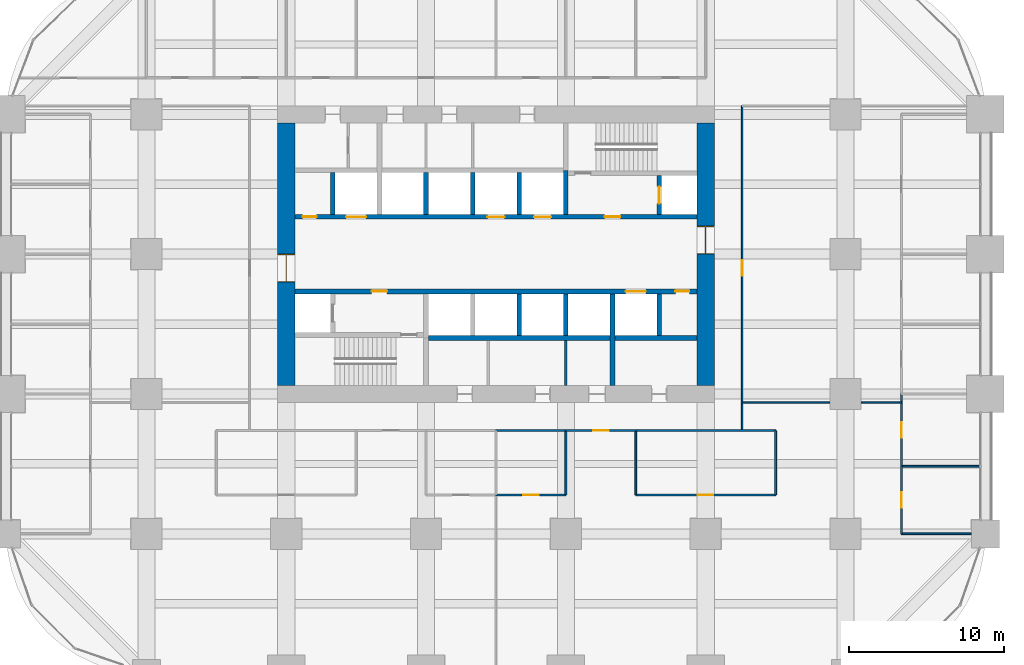
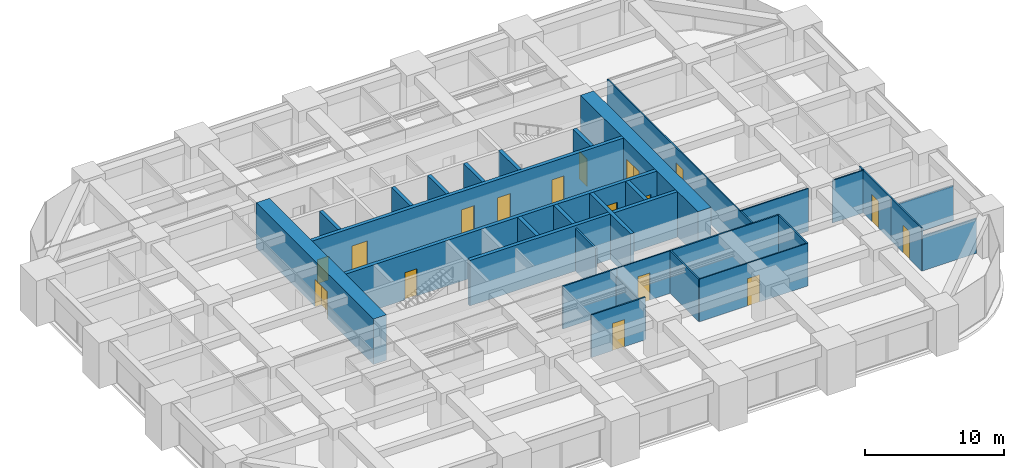
# One storey, part 37 of 41: 31 walls, 17 doors, 17 openings.
"""IFC4 building model written with IfcOpenShell, lengths in metres."""

import ifcopenshell
import ifcopenshell.guid

model = None  # the IFC model being written
_history = None  # IfcOwnerHistory: only IFC2X3 demands one
_inside = {}  # id of a spatial element -> (the spatial element, [elements in it])
_under = {}  # id of a project, library or spatial element -> (it, [spatial elements below it])
_declared = {}  # id of a project -> (the project, [libraries it declares])
_typed = {}  # id of a type object -> (the type object, [elements of that type])
_made_of = {}  # id of a material, layer set ... -> (it, [elements and type objects made of it])


def new_model(schema):
    """Start an empty IFC model of exactly this schema.

    Asked for "IFC4X3", IfcOpenShell would pick the latest addendum, in which some entities
    have other attributes; the version numbers below select the first issue.
    IFC2X3 requires an IfcOwnerHistory on every rooted entity: one is made here for all.
    """
    global model, _history
    if schema == "IFC4X3":
        model = ifcopenshell.file(schema_version=(4, 3, 0, 0))
    else:
        model = ifcopenshell.file(schema=schema)
    _inside.clear()
    _under.clear()
    _declared.clear()
    _typed.clear()
    _made_of.clear()
    _history = None
    if model.schema == "IFC2X3":
        org = make("IfcOrganization", Name="unknown")
        user = make(
            "IfcPersonAndOrganization",
            ThePerson=make("IfcPerson", FamilyName="unknown"),
            TheOrganization=org,
        )
        app = make(
            "IfcApplication",
            ApplicationDeveloper=org,
            Version="unknown",
            ApplicationFullName="unknown",
            ApplicationIdentifier="unknown",
        )
        _history = make(
            "IfcOwnerHistory",
            OwningUser=user,
            OwningApplication=app,
            ChangeAction="ADDED",
            CreationDate=0,
        )
    return model


def make(cls, **values):
    """One entity of the class cls with the attributes given. An attribute that is None is left unset."""
    return model.create_entity(
        cls, **{name: value for name, value in values.items() if value is not None}
    )


def rooted(cls, **values):
    """An entity with a GlobalId (a new one), such as an element, a storey or a relation."""
    return make(cls, GlobalId=ifcopenshell.guid.new(), OwnerHistory=_history, **values)


def si_unit(unit_type, name, prefix=None):
    """IfcSIUnit, for example si_unit("LENGTHUNIT", "METRE", prefix="MILLI")."""
    return make("IfcSIUnit", UnitType=unit_type, Prefix=prefix, Name=name)


def assignment(units):
    """IfcUnitAssignment: the units of a project."""
    return None if units is None else make("IfcUnitAssignment", Units=units)


def point(xyz):
    """IfcCartesianPoint."""
    return None if xyz is None else make("IfcCartesianPoint", Coordinates=xyz)


def direction(xyz):
    """IfcDirection."""
    return None if xyz is None else make("IfcDirection", DirectionRatios=xyz)


def frame(location, z_axis=None, x_axis=None):
    """IfcAxis2Placement3D, a coordinate frame: its origin and axes. An axis left out is left unset."""
    return make(
        "IfcAxis2Placement3D",
        Location=point(location),
        Axis=direction(z_axis),
        RefDirection=direction(x_axis),
    )


def frame_2d(location, x_axis=None):
    """IfcAxis2Placement2D, a coordinate frame in the plane: its origin and x axis."""
    return make(
        "IfcAxis2Placement2D", Location=point(location), RefDirection=direction(x_axis)
    )


def origin():
    """The frame at (0, 0, 0) with its axes left unset."""
    return frame((0.0, 0.0, 0.0))


def place(relative_to, where):
    """IfcLocalPlacement: puts the frame where relative to a parent placement (None: the world)."""
    return make(
        "IfcLocalPlacement", PlacementRelTo=relative_to, RelativePlacement=where
    )


def context(
    kind, dimensions, precision=None, world=None, true_north=None, identifier=None
):
    """IfcGeometricRepresentationContext, for example the 3D "Model" context."""
    return make(
        "IfcGeometricRepresentationContext",
        ContextIdentifier=identifier,
        ContextType=kind,
        CoordinateSpaceDimension=dimensions,
        Precision=precision,
        WorldCoordinateSystem=world,
        TrueNorth=true_north,
    )


def subcontext(parent, identifier, kind, view, scale=None):
    """IfcGeometricRepresentationSubContext, for example "Body" below "Model"."""
    return make(
        "IfcGeometricRepresentationSubContext",
        ContextIdentifier=identifier,
        ContextType=kind,
        ParentContext=parent,
        TargetScale=scale,
        TargetView=view,
    )


def project(units=None, contexts=None):
    """IfcProject with its units and contexts."""
    return rooted(
        "IfcProject",
        Name="project",
        RepresentationContexts=contexts,
        UnitsInContext=assignment(units),
    )


def spatial(cls, under=None, at=None, **own):
    """A site, building, storey or space (cls), placed at a placement, below another one or the project."""
    s = rooted(cls, ObjectPlacement=at, **own)
    if under is not None:
        _under.setdefault(under.id(), (under, []))[1].append(s)
    return s


def profile(cls, at=None, kind="AREA", **sizes):
    """A parametric profile (cls). Its sizes go by their IFC names, for example OverallWidth=200.0."""
    return make(cls, ProfileType=kind, Position=at, **sizes)


def rectangle(**sizes):
    """IfcRectangleProfileDef."""
    return profile("IfcRectangleProfileDef", **sizes)


def extrude(swept, where, along, depth):
    """IfcExtrudedAreaSolid: the profile swept, set in the frame where, extruded along a direction by depth."""
    return make(
        "IfcExtrudedAreaSolid",
        SweptArea=swept,
        Position=where,
        ExtrudedDirection=direction(along),
        Depth=depth,
    )


def shape(context_of_items, identifier, shape_type, items):
    """IfcShapeRepresentation: the items that make up one representation, for example the "Body"."""
    return make(
        "IfcShapeRepresentation",
        ContextOfItems=context_of_items,
        RepresentationIdentifier=identifier,
        RepresentationType=shape_type,
        Items=items,
    )


def material(Name=None, Category=None):
    """IfcMaterial."""
    return make("IfcMaterial", Name=Name, Category=Category)


def layer(
    of_material, thickness, ventilated=None, Name=None, Category=None, Priority=None
):
    """IfcMaterialLayer: one layer of a wall or slab, of a material (None: an air gap)."""
    return make(
        "IfcMaterialLayer",
        Material=of_material,
        LayerThickness=thickness,
        IsVentilated=ventilated,
        Name=Name,
        Category=Category,
        Priority=Priority,
    )


def layer_set(layers, Name=None):
    """IfcMaterialLayerSet."""
    return make("IfcMaterialLayerSet", MaterialLayers=layers, LayerSetName=Name)


def made_of(thing, what):
    """Note that an element or type object is made of a material, layer set ...; save() writes the relation."""
    if what is not None:
        _made_of.setdefault(what.id(), (what, []))[1].append(thing)
    return thing


def type_object(cls, material=None, **own):
    """A type object (cls), such as IfcWallType, which elements share."""
    return made_of(rooted(cls, **own), material)


def element(
    cls,
    number,
    at=None,
    inside=None,
    cuts=None,
    type_object=None,
    material=None,
    context=None,
    identifier="Body",
    shape_type=None,
    held_by="IfcProductDefinitionShape",
    body=None,
    shapes=None,
    **own,
):
    """One element of the class cls, such as IfcWall. Its Tag is "e" and its number.

    at: its placement. inside: the storey or other place that contains it. cuts: it is an
    opening in that element (IfcRelVoidsElement). A single representation is given by context,
    identifier, shape_type and body (its items); several are given by shapes. held_by: the class
    of the entity that holds the representations. save() writes the other relations.
    """
    e = rooted(cls, Tag="e%d" % number, ObjectPlacement=at, **own)
    if body is not None:
        shapes = [shape(context, identifier, shape_type, body)]
    if shapes is not None:
        e.Representation = make(held_by, Representations=shapes)
    if inside is not None:
        _inside.setdefault(inside.id(), (inside, []))[1].append(e)
    if cuts is not None:
        rooted(
            "IfcRelVoidsElement", RelatingBuildingElement=cuts, RelatedOpeningElement=e
        )
    if type_object is not None:
        _typed.setdefault(type_object.id(), (type_object, []))[1].append(e)
    return made_of(e, material)


def fill(opening, filler):
    """IfcRelFillsElement: the door or window that sits in an opening."""
    return rooted(
        "IfcRelFillsElement",
        RelatingOpeningElement=opening,
        RelatedBuildingElement=filler,
    )


def aggregate(whole, parts):
    """IfcRelAggregates: a whole, such as a stair, and the parts it consists of."""
    return rooted("IfcRelAggregates", RelatingObject=whole, RelatedObjects=parts)


def save(model, path):
    """Write the relations noted so far, then the file.

    IfcRelAggregates (storeys below a building ...), IfcRelContainedInSpatialStructure (elements
    in a storey), IfcRelDefinesByType, IfcRelAssociatesMaterial and IfcRelDeclares: one each for
    every whole, place, type object, material and project.
    """
    for whole, parts in _under.values():
        aggregate(whole, parts)
    for where, things in _inside.values():
        rooted(
            "IfcRelContainedInSpatialStructure",
            RelatedElements=things,
            RelatingStructure=where,
        )
    for kind, things in _typed.values():
        rooted("IfcRelDefinesByType", RelatedObjects=things, RelatingType=kind)
    for what, things in _made_of.values():
        rooted("IfcRelAssociatesMaterial", RelatedObjects=things, RelatingMaterial=what)
    for by, libraries in _declared.values():
        rooted("IfcRelDeclares", RelatingContext=by, RelatedDefinitions=libraries)
    model.write(path)


model = new_model("IFC4")

# Units and contexts
model_context = context("Model", 3, precision=1e-05, world=origin(), true_north=direction((0.0, 1.0)))
body_context = subcontext(model_context, "Body", "Model", "MODEL_VIEW")
ifc_project = project(units=[si_unit("LENGTHUNIT", "METRE"), si_unit("AREAUNIT", "SQUARE_METRE"), si_unit("VOLUMEUNIT", "CUBIC_METRE"), si_unit("PLANEANGLEUNIT", "RADIAN"), si_unit("MASSUNIT", "GRAM", prefix="KILO")], contexts=[model_context])

# Site, building, storey
site_placement = place(None, origin())
site = spatial("IfcSite", under=ifc_project, at=site_placement, CompositionType="ELEMENT")
building_placement = place(site_placement, origin())
building = spatial("IfcBuilding", under=site, at=building_placement, Name="Zorevar Civic Tower", CompositionType="ELEMENT")
storey_placement = place(building_placement, frame((0.0, 0.0, 113.0)))
storey = spatial("IfcBuildingStorey", under=building, at=storey_placement, Name="L27", CompositionType="ELEMENT", Elevation=113.0)

# Wall, opening, door
ifc_material_1 = material(Name="Concrete C50/60", Category="concrete")
ifc_layer_1 = layer(ifc_material_1, 1.10009765625)
ifc_layer_set_1 = layer_set([ifc_layer_1], Name="Core wall 1100")
wall_type_1 = type_object("IfcWallType", Name="Core wall 1100", PredefinedType="SHEAR", material=ifc_layer_set_1)
wall_1_placement = place(storey_placement, frame((18.0, 35.449951171875, 0.0), z_axis=(0.0, 0.0, 1.0), x_axis=(0.0, -1.0, 0.0)))
wall_1 = element("IfcWall", 1, at=wall_1_placement, inside=storey, type_object=wall_type_1, Name="Core wall W L27", PredefinedType="SHEAR", context=body_context, shape_type="SweptSolid", body=[
    extrude(rectangle(XDim=16.89990234375, YDim=1.10009765625, at=frame_2d((8.449951171875, 0.0))), origin(), (0.0, 0.0, 1.0), 4.0),
])
opening_1_placement = place(wall_1_placement, frame((8.449951171875, 0.0, 0.0)))
opening_1 = element("IfcOpeningElement", 2, at=opening_1_placement, cuts=wall_1, Name="Opening L27.01", PredefinedType="OPENING", context=body_context, shape_type="SweptSolid", body=[
    extrude(rectangle(XDim=1.800048828125, YDim=2.39990234375, at=frame_2d((0.89990234375, 1.199951171875))), frame((0.0, 0.56005859375, 0.0), z_axis=(0.0, -1.0, 0.0), x_axis=(1.0, 0.0, 0.0)), (0.0, 0.0, 1.0), 1.1201171875),
])
ifc_material_2 = material(Name="Steel door set", Category="steel")
door_type_1 = type_object("IfcDoorType", Name="Fire door FD2 1800x2400", OperationType="DOUBLE_DOOR_DOUBLE_SWING", PredefinedType="DOOR", material=ifc_material_2)
door_1_placement = place(opening_1_placement, origin())
door_1 = element("IfcDoor", 3, at=door_1_placement, inside=storey, type_object=door_type_1, Name="Door L27 00", OperationType="DOUBLE_DOOR_DOUBLE_SWING", OverallHeight=2.39990234375, OverallWidth=1.800048828125, PredefinedType="DOOR", context=body_context, shape_type="SweptSolid", body=[
    extrude(rectangle(XDim=1.800048828125, YDim=2.39990234375, at=frame_2d((0.89990234375, 1.199951171875))), frame((0.0, 0.030029296875, 0.0), z_axis=(0.0, -1.0, 0.0), x_axis=(1.0, 0.0, 0.0)), (0.0, 0.0, 1.0), 0.06005859375),
    extrude(rectangle(XDim=0.04, YDim=2.39990234375, at=frame_2d((0.02001953125, 1.199951171875))), frame((0.0, 0.5498046875, 0.0), z_axis=(0.0, -1.0, 0.0), x_axis=(1.0, 0.0, 0.0)), (0.0, 0.0, 1.0), 1.099609375),
    extrude(rectangle(XDim=0.04, YDim=2.39990234375, at=frame_2d((1.780029296875, 1.199951171875))), frame((0.0, 0.5498046875, 0.0), z_axis=(0.0, -1.0, 0.0), x_axis=(1.0, 0.0, 0.0)), (0.0, 0.0, 1.0), 1.099609375),
    extrude(rectangle(XDim=1.800048828125, YDim=0.04, at=frame_2d((0.89990234375, 2.3798828125))), frame((0.0, 0.5498046875, 0.0), z_axis=(0.0, -1.0, 0.0), x_axis=(1.0, 0.0, 0.0)), (0.0, 0.0, 1.0), 1.099609375),
])
fill(opening_1, door_1)

wall_2_placement = place(storey_placement, frame((45.0, 18.550048828125, 0.0), z_axis=(0.0, 0.0, 1.0), x_axis=(0.0, 1.0, 0.0)))
wall_2 = element("IfcWall", 4, at=wall_2_placement, inside=storey, type_object=wall_type_1, Name="Core wall E L27", PredefinedType="SHEAR", context=body_context, shape_type="SweptSolid", body=[
    extrude(rectangle(XDim=16.89990234375, YDim=1.10009765625, at=frame_2d((8.449951171875, 0.0))), origin(), (0.0, 0.0, 1.0), 4.0),
])
opening_2_placement = place(wall_2_placement, frame((8.449951171875, 0.0, 0.0)))
opening_2 = element("IfcOpeningElement", 5, at=opening_2_placement, cuts=wall_2, Name="Opening L27.02", PredefinedType="OPENING", context=body_context, shape_type="SweptSolid", body=[
    extrude(rectangle(XDim=1.800048828125, YDim=2.39990234375, at=frame_2d((0.89990234375, 1.199951171875))), frame((0.0, 0.56005859375, 0.0), z_axis=(0.0, -1.0, 0.0), x_axis=(1.0, 0.0, 0.0)), (0.0, 0.0, 1.0), 1.1201171875),
])
door_2_placement = place(opening_2_placement, origin())
door_2 = element("IfcDoor", 6, at=door_2_placement, inside=storey, type_object=door_type_1, Name="Door L27 01", OperationType="DOUBLE_DOOR_DOUBLE_SWING", OverallHeight=2.39990234375, OverallWidth=1.800048828125, PredefinedType="DOOR", context=body_context, shape_type="SweptSolid", body=[
    extrude(rectangle(XDim=1.800048828125, YDim=2.39990234375, at=frame_2d((0.89990234375, 1.199951171875))), frame((0.0, 0.030029296875, 0.0), z_axis=(0.0, -1.0, 0.0), x_axis=(1.0, 0.0, 0.0)), (0.0, 0.0, 1.0), 0.06005859375),
    extrude(rectangle(XDim=0.04, YDim=2.39990234375, at=frame_2d((0.02001953125, 1.199951171875))), frame((0.0, 0.5498046875, 0.0), z_axis=(0.0, -1.0, 0.0), x_axis=(1.0, 0.0, 0.0)), (0.0, 0.0, 1.0), 1.099609375),
    extrude(rectangle(XDim=0.04, YDim=2.39990234375, at=frame_2d((1.780029296875, 1.199951171875))), frame((0.0, 0.5498046875, 0.0), z_axis=(0.0, -1.0, 0.0), x_axis=(1.0, 0.0, 0.0)), (0.0, 0.0, 1.0), 1.099609375),
    extrude(rectangle(XDim=1.800048828125, YDim=0.04, at=frame_2d((0.89990234375, 2.3798828125))), frame((0.0, 0.5498046875, 0.0), z_axis=(0.0, -1.0, 0.0), x_axis=(1.0, 0.0, 0.0)), (0.0, 0.0, 1.0), 1.099609375),
])
fill(opening_2, door_2)

ifc_material_3 = material(Name="Laminated glass in black aluminium frame", Category="aluminium")
ifc_layer_2 = layer(ifc_material_3, 0.10009765625)
ifc_layer_set_2 = layer_set([ifc_layer_2], Name="Glazed partition 100")
wall_type_2 = type_object("IfcWallType", Name="Glazed partition 100", PredefinedType="PARTITIONING", material=ifc_layer_set_2)
wall_3_placement = place(storey_placement, frame((40.5, 11.5, 0.0), z_axis=(0.0, 0.0, 1.0), x_axis=(1.0, 0.0, 0.0)))
wall_3 = element("IfcWall", 7, at=wall_3_placement, inside=storey, type_object=wall_type_2, Name="Glazed partition 100 L27", PredefinedType="PARTITIONING", context=body_context, shape_type="SweptSolid", body=[
    extrude(rectangle(XDim=9.0, YDim=0.10009765625, at=frame_2d((4.5, 0.0))), origin(), (0.0, 0.0, 1.0), 3.75),
])
opening_3_placement = place(wall_3_placement, frame((4.0, 0.0, 0.0)))
opening_3 = element("IfcOpeningElement", 8, at=opening_3_placement, cuts=wall_3, Name="Opening L27.20", PredefinedType="OPENING", context=body_context, shape_type="SweptSolid", body=[
    extrude(rectangle(XDim=1.0, YDim=2.39990234375, at=frame_2d((0.5, 1.199951171875))), frame((0.0, 0.06005859375, 0.0), z_axis=(0.0, -1.0, 0.0), x_axis=(1.0, 0.0, 0.0)), (0.0, 0.0, 1.0), 0.1201171875),
])
ifc_material_4 = material(Name="Timber door set", Category="wood")
door_type_2 = type_object("IfcDoorType", Name="Glazed door GD1 1000x2400", OperationType="SINGLE_SWING_LEFT", PredefinedType="DOOR", material=ifc_material_4)
door_3_placement = place(opening_3_placement, origin())
door_3 = element("IfcDoor", 9, at=door_3_placement, inside=storey, type_object=door_type_2, Name="Door L27 D1", OperationType="SINGLE_SWING_RIGHT", OverallHeight=2.39990234375, OverallWidth=1.0, PredefinedType="DOOR", context=body_context, shape_type="SweptSolid", body=[
    extrude(rectangle(XDim=1.0, YDim=2.39990234375, at=frame_2d((0.5, 1.199951171875))), frame((0.0, 0.02001953125, 0.0), z_axis=(0.0, -1.0, 0.0), x_axis=(1.0, 0.0, 0.0)), (0.0, 0.0, 1.0), 0.0400390625),
])
fill(opening_3, door_3)

wall_4_placement = place(storey_placement, frame((36.0, 15.64990234375, 0.0), z_axis=(0.0, 0.0, 1.0), x_axis=(1.0, 0.0, 0.0)))
wall_4 = element("IfcWall", 10, at=wall_4_placement, inside=storey, type_object=wall_type_2, Name="Glazed partition 100 L27", PredefinedType="PARTITIONING", context=body_context, shape_type="SweptSolid", body=[
    extrude(rectangle(XDim=4.5, YDim=0.10009765625, at=frame_2d((2.25, 0.0))), origin(), (0.0, 0.0, 1.0), 3.75),
])
opening_4_placement = place(wall_4_placement, frame((1.75, 0.0, 0.0)))
opening_4 = element("IfcOpeningElement", 11, at=opening_4_placement, cuts=wall_4, Name="Opening L27.22", PredefinedType="OPENING", context=body_context, shape_type="SweptSolid", body=[
    extrude(rectangle(XDim=1.0, YDim=2.39990234375, at=frame_2d((0.5, 1.199951171875))), frame((0.0, 0.06005859375, 0.0), z_axis=(0.0, -1.0, 0.0), x_axis=(1.0, 0.0, 0.0)), (0.0, 0.0, 1.0), 0.1201171875),
])
door_4_placement = place(opening_4_placement, origin())
door_4 = element("IfcDoor", 12, at=door_4_placement, inside=storey, type_object=door_type_2, Name="Door L27 D1", OperationType="SINGLE_SWING_RIGHT", OverallHeight=2.39990234375, OverallWidth=1.0, PredefinedType="DOOR", context=body_context, shape_type="SweptSolid", body=[
    extrude(rectangle(XDim=1.0, YDim=2.39990234375, at=frame_2d((0.5, 1.199951171875))), frame((0.0, 0.02001953125, 0.0), z_axis=(0.0, -1.0, 0.0), x_axis=(1.0, 0.0, 0.0)), (0.0, 0.0, 1.0), 0.0400390625),
])
fill(opening_4, door_4)

# Walls
wall_5_placement = place(storey_placement, frame((47.35009765625, 17.449951171875, 0.0), z_axis=(0.0, 0.0, 1.0), x_axis=(1.0, 0.0, 0.0)))
element("IfcWall", 13, at=wall_5_placement, inside=storey, type_object=wall_type_2, Name="Glazed partition 100 L27", PredefinedType="PARTITIONING", context=body_context, shape_type="SweptSolid", body=[
    extrude(rectangle(XDim=5.64990234375, YDim=0.10009765625, at=frame_2d((2.824951171875, 0.0))), origin(), (0.0, 0.0, 1.0), 3.75),
])
wall_6_placement = place(storey_placement, frame((55.0, 17.449951171875, 0.0), z_axis=(0.0, 0.0, 1.0), x_axis=(1.0, 0.0, 0.0)))
element("IfcWall", 14, at=wall_6_placement, inside=storey, type_object=wall_type_2, Name="Glazed partition 100 L27", PredefinedType="PARTITIONING", context=body_context, shape_type="SweptSolid", body=[
    extrude(rectangle(XDim=2.610107421875, YDim=0.10009765625, at=frame_2d((1.30517578125, 0.0))), origin(), (0.0, 0.0, 1.0), 3.75),
])

# Wall, opening, door
wall_7_placement = place(storey_placement, frame((47.35009765625, 15.64990234375, 0.0), z_axis=(0.0, 0.0, 1.0), x_axis=(0.0, 1.0, 0.0)))
wall_7 = element("IfcWall", 15, at=wall_7_placement, inside=storey, type_object=wall_type_2, Name="Glazed partition 100 L27", PredefinedType="PARTITIONING", context=body_context, shape_type="SweptSolid", body=[
    extrude(rectangle(XDim=20.900146484375, YDim=0.10009765625, at=frame_2d((10.4501953125, 0.0))), origin(), (0.0, 0.0, 1.0), 3.75),
])
opening_5_placement = place(wall_7_placement, frame((9.949951171875, 0.0, 0.0)))
opening_5 = element("IfcOpeningElement", 16, at=opening_5_placement, cuts=wall_7, Name="Opening L27.37", PredefinedType="OPENING", context=body_context, shape_type="SweptSolid", body=[
    extrude(rectangle(XDim=1.0, YDim=2.39990234375, at=frame_2d((0.5, 1.199951171875))), frame((0.0, 0.06005859375, 0.0), z_axis=(0.0, -1.0, 0.0), x_axis=(1.0, 0.0, 0.0)), (0.0, 0.0, 1.0), 0.1201171875),
])
door_5_placement = place(opening_5_placement, origin())
door_5 = element("IfcDoor", 17, at=door_5_placement, inside=storey, type_object=door_type_2, Name="Door L27 D1", OperationType="SINGLE_SWING_LEFT", OverallHeight=2.39990234375, OverallWidth=1.0, PredefinedType="DOOR", context=body_context, shape_type="SweptSolid", body=[
    extrude(rectangle(XDim=1.0, YDim=2.39990234375, at=frame_2d((0.5, 1.199951171875))), frame((0.0, 0.02001953125, 0.0), z_axis=(0.0, -1.0, 0.0), x_axis=(1.0, 0.0, 0.0)), (0.0, 0.0, 1.0), 0.0400390625),
])
fill(opening_5, door_5)

ifc_material_5 = material(Name="Concrete C40/50", Category="concrete")
ifc_layer_3 = layer(ifc_material_5, 0.300048828125)
ifc_layer_set_3 = layer_set([ifc_layer_3], Name="Inner core wall 300")
wall_type_3 = type_object("IfcWallType", Name="Inner core wall 300", PredefinedType="SHEAR", material=ifc_layer_set_3)
wall_8_placement = place(storey_placement, frame((42.0, 29.550048828125, 0.0), z_axis=(0.0, 0.0, 1.0), x_axis=(0.0, 1.0, 0.0)))
wall_8 = element("IfcWall", 18, at=wall_8_placement, inside=storey, type_object=wall_type_3, Name="Inner core wall N02 L27", PredefinedType="SHEAR", context=body_context, shape_type="SweptSolid", body=[
    extrude(rectangle(XDim=2.5, YDim=0.300048828125, at=frame_2d((1.25, 0.0))), origin(), (0.0, 0.0, 1.0), 4.0),
])
opening_6_placement = place(wall_8_placement, frame((0.699951171875, 0.0, 0.0)))
opening_6 = element("IfcOpeningElement", 19, at=opening_6_placement, cuts=wall_8, Name="Opening L27.FL2", PredefinedType="OPENING", context=body_context, shape_type="SweptSolid", body=[
    extrude(rectangle(XDim=1.10009765625, YDim=2.39990234375, at=frame_2d((0.550048828125, 1.199951171875))), frame((0.0, 0.159912109375, 0.0), z_axis=(0.0, -1.0, 0.0), x_axis=(1.0, 0.0, 0.0)), (0.0, 0.0, 1.0), 0.320068359375),
])
ifc_material_6 = material(Name="Steel door set", Category="steel")
door_type_3 = type_object("IfcDoorType", Name="Firefighting lift landing door LD3 1100x2400", OperationType="DOUBLE_DOOR_SLIDING", PredefinedType="DOOR", material=ifc_material_6)
door_6_placement = place(opening_6_placement, origin())
door_6 = element("IfcDoor", 20, at=door_6_placement, inside=storey, type_object=door_type_3, Name="Landing door FL2 L27", OperationType="DOUBLE_DOOR_SLIDING", OverallHeight=2.39990234375, OverallWidth=1.10009765625, PredefinedType="DOOR", context=body_context, shape_type="SweptSolid", body=[
    extrude(rectangle(XDim=1.10009765625, YDim=2.39990234375, at=frame_2d((0.550048828125, 1.199951171875))), frame((0.0, 0.030029296875, 0.0), z_axis=(0.0, -1.0, 0.0), x_axis=(1.0, 0.0, 0.0)), (0.0, 0.0, 1.0), 0.06005859375),
])
fill(opening_6, door_6)

# Wall, openings, doors
wall_9_placement = place(storey_placement, frame((18.550048828125, 24.60009765625, 0.0), z_axis=(0.0, 0.0, 1.0), x_axis=(1.0, 0.0, 0.0)))
wall_9 = element("IfcWall", 21, at=wall_9_placement, inside=storey, type_object=wall_type_3, Name="Inner core wall S03 L27", PredefinedType="SHEAR", context=body_context, shape_type="SweptSolid", body=[
    extrude(rectangle(XDim=25.89990234375, YDim=0.300048828125, at=frame_2d((12.949951171875, 0.0))), origin(), (0.0, 0.0, 1.0), 4.0),
])
opening_7_placement = place(wall_9_placement, frame((4.949951171875, 0.0, 0.0)))
opening_7 = element("IfcOpeningElement", 22, at=opening_7_placement, cuts=wall_9, Name="Opening L27.13", PredefinedType="OPENING", context=body_context, shape_type="SweptSolid", body=[
    extrude(rectangle(XDim=1.0, YDim=2.39990234375, at=frame_2d((0.5, 1.199951171875))), frame((0.0, 0.159912109375, 0.0), z_axis=(0.0, -1.0, 0.0), x_axis=(1.0, 0.0, 0.0)), (0.0, 0.0, 1.0), 0.320068359375),
])
opening_8_placement = place(wall_9_placement, frame((24.5, 0.0, 0.0)))
opening_8 = element("IfcOpeningElement", 23, at=opening_8_placement, cuts=wall_9, Name="Opening L27.15", PredefinedType="OPENING", context=body_context, shape_type="SweptSolid", body=[
    extrude(rectangle(XDim=0.89990234375, YDim=2.10009765625, at=frame_2d((0.449951171875, 1.050048828125))), frame((0.0, 0.159912109375, 0.0), z_axis=(0.0, -1.0, 0.0), x_axis=(1.0, 0.0, 0.0)), (0.0, 0.0, 1.0), 0.320068359375),
])
opening_9_placement = place(wall_9_placement, frame((21.300048828125, 0.0, 0.0)))
opening_9 = element("IfcOpeningElement", 24, at=opening_9_placement, cuts=wall_9, Name="Opening L27.SL1", PredefinedType="OPENING", context=body_context, shape_type="SweptSolid", body=[
    extrude(rectangle(XDim=1.300048828125, YDim=2.39990234375, at=frame_2d((0.64990234375, 1.199951171875))), frame((0.0, 0.159912109375, 0.0), z_axis=(0.0, -1.0, 0.0), x_axis=(1.0, 0.0, 0.0)), (0.0, 0.0, 1.0), 0.320068359375),
])
ifc_material_7 = material(Name="Steel door set", Category="steel")
door_type_4 = type_object("IfcDoorType", Name="Fire door FD1 1000x2400", OperationType="SINGLE_SWING_LEFT", PredefinedType="DOOR", material=ifc_material_7)
door_7_placement = place(opening_7_placement, origin())
door_7 = element("IfcDoor", 25, at=door_7_placement, inside=storey, type_object=door_type_4, Name="Door L27 12", OperationType="SINGLE_SWING_RIGHT", OverallHeight=2.39990234375, OverallWidth=1.0, PredefinedType="DOOR", context=body_context, shape_type="SweptSolid", body=[
    extrude(rectangle(XDim=1.0, YDim=2.39990234375, at=frame_2d((0.5, 1.199951171875))), frame((0.0, 0.030029296875, 0.0), z_axis=(0.0, -1.0, 0.0), x_axis=(1.0, 0.0, 0.0)), (0.0, 0.0, 1.0), 0.06005859375),
])
fill(opening_7, door_7)
ifc_material_8 = material(Name="Steel door set", Category="steel")
door_type_5 = type_object("IfcDoorType", Name="Landing door LD2 1300x2400", OperationType="DOUBLE_DOOR_SLIDING", PredefinedType="DOOR", material=ifc_material_8)
door_8_placement = place(opening_9_placement, origin())
door_8 = element("IfcDoor", 26, at=door_8_placement, inside=storey, type_object=door_type_5, Name="Landing door SL1 L27", OperationType="DOUBLE_DOOR_SLIDING", OverallHeight=2.39990234375, OverallWidth=1.300048828125, PredefinedType="DOOR", context=body_context, shape_type="SweptSolid", body=[
    extrude(rectangle(XDim=1.300048828125, YDim=2.39990234375, at=frame_2d((0.64990234375, 1.199951171875))), frame((0.0, 0.02001953125, 0.0), z_axis=(0.0, -1.0, 0.0), x_axis=(1.0, 0.0, 0.0)), (0.0, 0.0, 1.0), 0.0400390625),
])
fill(opening_9, door_8)
ifc_material_9 = material(Name="Steel door set", Category="steel")
door_type_6 = type_object("IfcDoorType", Name="Riser door RD1 900x2100", OperationType="SINGLE_SWING_LEFT", PredefinedType="DOOR", material=ifc_material_9)
door_9_placement = place(opening_8_placement, origin())
door_9 = element("IfcDoor", 27, at=door_9_placement, inside=storey, type_object=door_type_6, Name="Door L27 14", OperationType="SINGLE_SWING_RIGHT", OverallHeight=2.10009765625, OverallWidth=0.89990234375, PredefinedType="DOOR", context=body_context, shape_type="SweptSolid", body=[
    extrude(rectangle(XDim=0.89990234375, YDim=2.10009765625, at=frame_2d((0.449951171875, 1.050048828125))), frame((0.0, 0.030029296875, 0.0), z_axis=(0.0, -1.0, 0.0), x_axis=(1.0, 0.0, 0.0)), (0.0, 0.0, 1.0), 0.06005859375),
])
fill(opening_8, door_9)

wall_10_placement = place(storey_placement, frame((18.550048828125, 29.39990234375, 0.0), z_axis=(0.0, 0.0, 1.0), x_axis=(1.0, 0.0, 0.0)))
wall_10 = element("IfcWall", 28, at=wall_10_placement, inside=storey, type_object=wall_type_3, Name="Inner core wall N03 L27", PredefinedType="SHEAR", context=body_context, shape_type="SweptSolid", body=[
    extrude(rectangle(XDim=25.89990234375, YDim=0.300048828125, at=frame_2d((12.949951171875, 0.0))), origin(), (0.0, 0.0, 1.0), 4.0),
])
opening_10_placement = place(wall_10_placement, frame((19.949951171875, 0.0, 0.0)))
opening_10 = element("IfcOpeningElement", 29, at=opening_10_placement, cuts=wall_10, Name="Opening L27.14", PredefinedType="OPENING", context=body_context, shape_type="SweptSolid", body=[
    extrude(rectangle(XDim=1.0, YDim=2.39990234375, at=frame_2d((0.5, 1.199951171875))), frame((0.0, 0.159912109375, 0.0), z_axis=(0.0, -1.0, 0.0), x_axis=(1.0, 0.0, 0.0)), (0.0, 0.0, 1.0), 0.320068359375),
])
opening_11_placement = place(wall_10_placement, frame((0.5, 0.0, 0.0)))
opening_11 = element("IfcOpeningElement", 30, at=opening_11_placement, cuts=wall_10, Name="Opening L27.16", PredefinedType="OPENING", context=body_context, shape_type="SweptSolid", body=[
    extrude(rectangle(XDim=0.89990234375, YDim=2.10009765625, at=frame_2d((0.449951171875, 1.050048828125))), frame((0.0, 0.159912109375, 0.0), z_axis=(0.0, -1.0, 0.0), x_axis=(1.0, 0.0, 0.0)), (0.0, 0.0, 1.0), 0.320068359375),
])
opening_12_placement = place(wall_10_placement, frame((15.39990234375, 0.0, 0.0)))
opening_12 = element("IfcOpeningElement", 31, at=opening_12_placement, cuts=wall_10, Name="Opening L27.LM1", PredefinedType="OPENING", context=body_context, shape_type="SweptSolid", body=[
    extrude(rectangle(XDim=1.10009765625, YDim=2.39990234375, at=frame_2d((0.550048828125, 1.199951171875))), frame((0.0, 0.159912109375, 0.0), z_axis=(0.0, -1.0, 0.0), x_axis=(1.0, 0.0, 0.0)), (0.0, 0.0, 1.0), 0.320068359375),
])
opening_13_placement = place(wall_10_placement, frame((12.39990234375, 0.0, 0.0)))
opening_13 = element("IfcOpeningElement", 32, at=opening_13_placement, cuts=wall_10, Name="Opening L27.LM2", PredefinedType="OPENING", context=body_context, shape_type="SweptSolid", body=[
    extrude(rectangle(XDim=1.10009765625, YDim=2.39990234375, at=frame_2d((0.550048828125, 1.199951171875))), frame((0.0, 0.159912109375, 0.0), z_axis=(0.0, -1.0, 0.0), x_axis=(1.0, 0.0, 0.0)), (0.0, 0.0, 1.0), 0.320068359375),
])
opening_14_placement = place(wall_10_placement, frame((3.300048828125, 0.0, 0.0)))
opening_14 = element("IfcOpeningElement", 33, at=opening_14_placement, cuts=wall_10, Name="Opening L27.SL2", PredefinedType="OPENING", context=body_context, shape_type="SweptSolid", body=[
    extrude(rectangle(XDim=1.300048828125, YDim=2.39990234375, at=frame_2d((0.64990234375, 1.199951171875))), frame((0.0, 0.159912109375, 0.0), z_axis=(0.0, -1.0, 0.0), x_axis=(1.0, 0.0, 0.0)), (0.0, 0.0, 1.0), 0.320068359375),
])
door_10_placement = place(opening_10_placement, origin())
door_10 = element("IfcDoor", 34, at=door_10_placement, inside=storey, type_object=door_type_4, Name="Door L27 13", OperationType="SINGLE_SWING_RIGHT", OverallHeight=2.39990234375, OverallWidth=1.0, PredefinedType="DOOR", context=body_context, shape_type="SweptSolid", body=[
    extrude(rectangle(XDim=1.0, YDim=2.39990234375, at=frame_2d((0.5, 1.199951171875))), frame((0.0, 0.030029296875, 0.0), z_axis=(0.0, -1.0, 0.0), x_axis=(1.0, 0.0, 0.0)), (0.0, 0.0, 1.0), 0.06005859375),
])
fill(opening_10, door_10)
ifc_material_10 = material(Name="Steel door set", Category="steel")
door_type_7 = type_object("IfcDoorType", Name="Landing door LD1 1100x2400", OperationType="DOUBLE_DOOR_SLIDING", PredefinedType="DOOR", material=ifc_material_10)
door_11_placement = place(opening_12_placement, origin())
door_11 = element("IfcDoor", 35, at=door_11_placement, inside=storey, type_object=door_type_7, Name="Landing door LM1 L27", OperationType="DOUBLE_DOOR_SLIDING", OverallHeight=2.39990234375, OverallWidth=1.10009765625, PredefinedType="DOOR", context=body_context, shape_type="SweptSolid", body=[
    extrude(rectangle(XDim=1.10009765625, YDim=2.39990234375, at=frame_2d((0.550048828125, 1.199951171875))), frame((0.0, 0.02001953125, 0.0), z_axis=(0.0, -1.0, 0.0), x_axis=(1.0, 0.0, 0.0)), (0.0, 0.0, 1.0), 0.0400390625),
])
fill(opening_12, door_11)
door_12_placement = place(opening_13_placement, origin())
door_12 = element("IfcDoor", 36, at=door_12_placement, inside=storey, type_object=door_type_7, Name="Landing door LM2 L27", OperationType="DOUBLE_DOOR_SLIDING", OverallHeight=2.39990234375, OverallWidth=1.10009765625, PredefinedType="DOOR", context=body_context, shape_type="SweptSolid", body=[
    extrude(rectangle(XDim=1.10009765625, YDim=2.39990234375, at=frame_2d((0.550048828125, 1.199951171875))), frame((0.0, 0.02001953125, 0.0), z_axis=(0.0, -1.0, 0.0), x_axis=(1.0, 0.0, 0.0)), (0.0, 0.0, 1.0), 0.0400390625),
])
fill(opening_13, door_12)
door_13_placement = place(opening_14_placement, origin())
door_13 = element("IfcDoor", 37, at=door_13_placement, inside=storey, type_object=door_type_5, Name="Landing door SL2 L27", OperationType="DOUBLE_DOOR_SLIDING", OverallHeight=2.39990234375, OverallWidth=1.300048828125, PredefinedType="DOOR", context=body_context, shape_type="SweptSolid", body=[
    extrude(rectangle(XDim=1.300048828125, YDim=2.39990234375, at=frame_2d((0.64990234375, 1.199951171875))), frame((0.0, 0.02001953125, 0.0), z_axis=(0.0, -1.0, 0.0), x_axis=(1.0, 0.0, 0.0)), (0.0, 0.0, 1.0), 0.0400390625),
])
fill(opening_14, door_13)
door_14_placement = place(opening_11_placement, origin())
door_14 = element("IfcDoor", 38, at=door_14_placement, inside=storey, type_object=door_type_6, Name="Door L27 15", OperationType="SINGLE_SWING_RIGHT", OverallHeight=2.10009765625, OverallWidth=0.89990234375, PredefinedType="DOOR", context=body_context, shape_type="SweptSolid", body=[
    extrude(rectangle(XDim=0.89990234375, YDim=2.10009765625, at=frame_2d((0.449951171875, 1.050048828125))), frame((0.0, 0.030029296875, 0.0), z_axis=(0.0, -1.0, 0.0), x_axis=(1.0, 0.0, 0.0)), (0.0, 0.0, 1.0), 0.06005859375),
])
fill(opening_11, door_14)

# Walls
wall_11_placement = place(storey_placement, frame((27.14990234375, 21.60009765625, 0.0), z_axis=(0.0, 0.0, 1.0), x_axis=(1.0, 0.0, 0.0)))
element("IfcWall", 39, at=wall_11_placement, inside=storey, type_object=wall_type_3, Name="Inner core wall S04 L27", PredefinedType="SHEAR", context=body_context, shape_type="SweptSolid", body=[
    extrude(rectangle(XDim=17.300048828125, YDim=0.300048828125, at=frame_2d((8.64990234375, 0.0))), origin(), (0.0, 0.0, 1.0), 4.0),
])
for number, where, z_axis, x_axis, name in (
    (40, (33.0, 29.550048828125, 0.0), (0.0, 0.0, 1.0), (0.0, 1.0, 0.0), "Inner core wall N05 L27"),
    (41, (33.0, 21.75, 0.0), (0.0, 0.0, 1.0), (0.0, 1.0, 0.0), "Inner core wall S06 L27"),
    (42, (30.0, 29.550048828125, 0.0), (0.0, 0.0, 1.0), (0.0, 1.0, 0.0), "Inner core wall N06 L27"),
    (43, (36.0, 21.75, 0.0), (0.0, 0.0, 1.0), (0.0, 1.0, 0.0), "Inner core wall S07 L27"),
    (44, (27.0, 29.550048828125, 0.0), (0.0, 0.0, 1.0), (0.0, 1.0, 0.0), "Inner core wall N07 L27"),
):
    element("IfcWall", number, at=place(storey_placement, frame(where, z_axis=z_axis, x_axis=x_axis)), inside=storey, type_object=wall_type_3, Name=name, PredefinedType="SHEAR", context=body_context, shape_type="SweptSolid", body=[
        extrude(rectangle(XDim=2.699951171875, YDim=0.300048828125, at=frame_2d((1.35009765625, 0.0))), origin(), (0.0, 0.0, 1.0), 4.0),
    ])
wall_12_placement = place(storey_placement, frame((39.0, 18.550048828125, 0.0), z_axis=(0.0, 0.0, 1.0), x_axis=(0.0, 1.0, 0.0)))
element("IfcWall", 45, at=wall_12_placement, inside=storey, type_object=wall_type_3, Name="Inner core wall S08 L27", PredefinedType="SHEAR", context=body_context, shape_type="SweptSolid", body=[
    extrude(rectangle(XDim=5.89990234375, YDim=0.300048828125, at=frame_2d((2.949951171875, 0.0))), origin(), (0.0, 0.0, 1.0), 4.0),
])
for number, where, z_axis, x_axis, name in (
    (46, (42.0, 21.75, 0.0), (0.0, 0.0, 1.0), (0.0, 1.0, 0.0), "Inner core wall S09 L27"),
    (47, (21.0, 29.550048828125, 0.0), (0.0, 0.0, 1.0), (0.0, 1.0, 0.0), "Inner core wall N09 L27"),
):
    element("IfcWall", number, at=place(storey_placement, frame(where, z_axis=z_axis, x_axis=x_axis)), inside=storey, type_object=wall_type_3, Name=name, PredefinedType="SHEAR", context=body_context, shape_type="SweptSolid", body=[
        extrude(rectangle(XDim=2.699951171875, YDim=0.300048828125, at=frame_2d((1.35009765625, 0.0))), origin(), (0.0, 0.0, 1.0), 4.0),
    ])
wall_13_placement = place(storey_placement, frame((36.0, 29.550048828125, 0.0), z_axis=(0.0, 0.0, 1.0), x_axis=(0.0, 1.0, 0.0)))
element("IfcWall", 48, at=wall_13_placement, inside=storey, type_object=wall_type_3, Name="Inner core wall N10 L27", PredefinedType="SHEAR", context=body_context, shape_type="SweptSolid", body=[
    extrude(rectangle(XDim=2.849853515625, YDim=0.300048828125, at=frame_2d((1.4248046875, 0.0))), origin(), (0.0, 0.0, 1.0), 4.0),
])
ifc_material_11 = material(Name="Gypsum board on steel studs", Category="steel")
ifc_layer_4 = layer(ifc_material_11, 0.1201171875)
ifc_layer_set_4 = layer_set([ifc_layer_4], Name="Partition 120")
wall_type_4 = type_object("IfcWallType", Name="Partition 120", PredefinedType="PARTITIONING", material=ifc_layer_set_4)
wall_14_placement = place(storey_placement, frame((57.60009765625, 9.0, 0.0), z_axis=(0.0, 0.0, 1.0), x_axis=(1.0, 0.0, 0.0)))
element("IfcWall", 49, at=wall_14_placement, inside=storey, type_object=wall_type_4, Name="Partition 120 L27", PredefinedType="PARTITIONING", context=body_context, shape_type="SweptSolid", body=[
    extrude(rectangle(XDim=4.5, YDim=0.1201171875, at=frame_2d((2.25, 0.0))), origin(), (0.0, 0.0, 1.0), 3.050048828125),
])

# Wall, opening, door
wall_15_placement = place(storey_placement, frame((31.5, 11.5, 0.0), z_axis=(0.0, 0.0, 1.0), x_axis=(1.0, 0.0, 0.0)))
wall_15 = element("IfcWall", 50, at=wall_15_placement, inside=storey, type_object=wall_type_4, Name="Partition 120 L27", PredefinedType="PARTITIONING", context=body_context, shape_type="SweptSolid", body=[
    extrude(rectangle(XDim=4.5, YDim=0.1201171875, at=frame_2d((2.25, 0.0))), origin(), (0.0, 0.0, 1.0), 3.75),
])
opening_15_placement = place(wall_15_placement, frame((1.75, 0.0, 0.0)))
opening_15 = element("IfcOpeningElement", 51, at=opening_15_placement, cuts=wall_15, Name="Opening L27.18", PredefinedType="OPENING", context=body_context, shape_type="SweptSolid", body=[
    extrude(rectangle(XDim=1.0, YDim=2.39990234375, at=frame_2d((0.5, 1.199951171875))), frame((0.0, 0.070068359375, 0.0), z_axis=(0.0, -1.0, 0.0), x_axis=(1.0, 0.0, 0.0)), (0.0, 0.0, 1.0), 0.14013671875),
])
ifc_material_12 = material(Name="Timber door set", Category="wood")
door_type_8 = type_object("IfcDoorType", Name="Door D1 1000x2400", OperationType="SINGLE_SWING_LEFT", PredefinedType="DOOR", material=ifc_material_12)
door_15_placement = place(opening_15_placement, origin())
door_15 = element("IfcDoor", 52, at=door_15_placement, inside=storey, type_object=door_type_8, Name="Door L27 D1", OperationType="SINGLE_SWING_LEFT", OverallHeight=2.39990234375, OverallWidth=1.0, PredefinedType="DOOR", context=body_context, shape_type="SweptSolid", body=[
    extrude(rectangle(XDim=1.0, YDim=2.39990234375, at=frame_2d((0.5, 1.199951171875))), frame((0.0, 0.02490234375, 0.0), z_axis=(0.0, -1.0, 0.0), x_axis=(1.0, 0.0, 0.0)), (0.0, 0.0, 1.0), 0.050048828125),
])
fill(opening_15, door_15)

# Walls
wall_16_placement = place(storey_placement, frame((57.60009765625, 13.35009765625, 0.0), z_axis=(0.0, 0.0, 1.0), x_axis=(1.0, 0.0, 0.0)))
element("IfcWall", 53, at=wall_16_placement, inside=storey, type_object=wall_type_4, Name="Partition 120 L27", PredefinedType="PARTITIONING", context=body_context, shape_type="SweptSolid", body=[
    extrude(rectangle(XDim=5.08984375, YDim=0.1201171875, at=frame_2d((2.544921875, 0.0))), origin(), (0.0, 0.0, 1.0), 3.10009765625),
])
wall_17_placement = place(storey_placement, frame((40.5, 15.64990234375, 0.0), z_axis=(0.0, 0.0, 1.0), x_axis=(1.0, 0.0, 0.0)))
element("IfcWall", 54, at=wall_17_placement, inside=storey, type_object=wall_type_4, Name="Partition 120 L27", PredefinedType="PARTITIONING", context=body_context, shape_type="SweptSolid", body=[
    extrude(rectangle(XDim=9.0, YDim=0.1201171875, at=frame_2d((4.5, 0.0))), origin(), (0.0, 0.0, 1.0), 3.75),
])
wall_18_placement = place(storey_placement, frame((31.5, 15.64990234375, 0.0), z_axis=(0.0, 0.0, 1.0), x_axis=(1.0, 0.0, 0.0)))
element("IfcWall", 55, at=wall_18_placement, inside=storey, type_object=wall_type_4, Name="Partition 120 L27", PredefinedType="PARTITIONING", context=body_context, shape_type="SweptSolid", body=[
    extrude(rectangle(XDim=4.5, YDim=0.1201171875, at=frame_2d((2.25, 0.0))), origin(), (0.0, 0.0, 1.0), 3.75),
])
wall_19_placement = place(storey_placement, frame((36.0, 11.5, 0.0), z_axis=(0.0, 0.0, 1.0), x_axis=(0.0, 1.0, 0.0)))
element("IfcWall", 56, at=wall_19_placement, inside=storey, type_object=wall_type_4, Name="Partition 120 L27", PredefinedType="PARTITIONING", context=body_context, shape_type="SweptSolid", body=[
    extrude(rectangle(XDim=4.14990234375, YDim=0.1201171875, at=frame_2d((2.074951171875, 0.0))), origin(), (0.0, 0.0, 1.0), 3.050048828125),
])
for number, where, z_axis, x_axis, name in (
    (57, (40.5, 11.5, 0.0), (0.0, 0.0, 1.0), (0.0, 1.0, 0.0), "Partition 120 L27"),
    (58, (49.5, 11.5, 0.0), (0.0, 0.0, 1.0), (0.0, 1.0, 0.0), "Partition 120 L27"),
):
    element("IfcWall", number, at=place(storey_placement, frame(where, z_axis=z_axis, x_axis=x_axis)), inside=storey, type_object=wall_type_4, Name=name, PredefinedType="PARTITIONING", context=body_context, shape_type="SweptSolid", body=[
        extrude(rectangle(XDim=4.14990234375, YDim=0.1201171875, at=frame_2d((2.074951171875, 0.0))), origin(), (0.0, 0.0, 1.0), 3.75),
    ])

# Wall, opening, door
wall_20_placement = place(storey_placement, frame((57.60009765625, 9.0, 0.0), z_axis=(0.0, 0.0, 1.0), x_axis=(0.0, 1.0, 0.0)))
wall_20 = element("IfcWall", 59, at=wall_20_placement, inside=storey, type_object=wall_type_4, Name="Partition 120 L27", PredefinedType="PARTITIONING", context=body_context, shape_type="SweptSolid", body=[
    extrude(rectangle(XDim=4.35009765625, YDim=0.1201171875, at=frame_2d((2.175048828125, 0.0))), origin(), (0.0, 0.0, 1.0), 3.75),
])
opening_16_placement = place(wall_20_placement, frame((1.675048828125, 0.0, 0.0)))
opening_16 = element("IfcOpeningElement", 60, at=opening_16_placement, cuts=wall_20, Name="Opening L27.38", PredefinedType="OPENING", context=body_context, shape_type="SweptSolid", body=[
    extrude(rectangle(XDim=1.0, YDim=2.39990234375, at=frame_2d((0.5, 1.199951171875))), frame((0.0, 0.070068359375, 0.0), z_axis=(0.0, -1.0, 0.0), x_axis=(1.0, 0.0, 0.0)), (0.0, 0.0, 1.0), 0.14013671875),
])
door_16_placement = place(opening_16_placement, origin())
door_16 = element("IfcDoor", 61, at=door_16_placement, inside=storey, type_object=door_type_8, Name="Door L27 D1", OperationType="SINGLE_SWING_LEFT", OverallHeight=2.39990234375, OverallWidth=1.0, PredefinedType="DOOR", context=body_context, shape_type="SweptSolid", body=[
    extrude(rectangle(XDim=1.0, YDim=2.39990234375, at=frame_2d((0.5, 1.199951171875))), frame((0.0, 0.02490234375, 0.0), z_axis=(0.0, -1.0, 0.0), x_axis=(1.0, 0.0, 0.0)), (0.0, 0.0, 1.0), 0.050048828125),
])
fill(opening_16, door_16)

wall_21_placement = place(storey_placement, frame((57.60009765625, 13.35009765625, 0.0), z_axis=(0.0, 0.0, 1.0), x_axis=(0.0, 1.0, 0.0)))
wall_21 = element("IfcWall", 62, at=wall_21_placement, inside=storey, type_object=wall_type_4, Name="Partition 120 L27", PredefinedType="PARTITIONING", context=body_context, shape_type="SweptSolid", body=[
    extrude(rectangle(XDim=4.64990234375, YDim=0.1201171875, at=frame_2d((2.324951171875, 0.0))), origin(), (0.0, 0.0, 1.0), 3.75),
])
opening_17_placement = place(wall_21_placement, frame((1.824951171875, 0.0, 0.0)))
opening_17 = element("IfcOpeningElement", 63, at=opening_17_placement, cuts=wall_21, Name="Opening L27.39", PredefinedType="OPENING", context=body_context, shape_type="SweptSolid", body=[
    extrude(rectangle(XDim=1.0, YDim=2.39990234375, at=frame_2d((0.5, 1.199951171875))), frame((0.0, 0.070068359375, 0.0), z_axis=(0.0, -1.0, 0.0), x_axis=(1.0, 0.0, 0.0)), (0.0, 0.0, 1.0), 0.14013671875),
])
door_17_placement = place(opening_17_placement, origin())
door_17 = element("IfcDoor", 64, at=door_17_placement, inside=storey, type_object=door_type_8, Name="Door L27 D1", OperationType="SINGLE_SWING_LEFT", OverallHeight=2.39990234375, OverallWidth=1.0, PredefinedType="DOOR", context=body_context, shape_type="SweptSolid", body=[
    extrude(rectangle(XDim=1.0, YDim=2.39990234375, at=frame_2d((0.5, 1.199951171875))), frame((0.0, 0.02490234375, 0.0), z_axis=(0.0, -1.0, 0.0), x_axis=(1.0, 0.0, 0.0)), (0.0, 0.0, 1.0), 0.050048828125),
])
fill(opening_17, door_17)

# Wall
ifc_material_13 = material(Name="Gypsum board on steel studs, moisture resistant", Category="steel")
ifc_layer_5 = layer(ifc_material_13, 0.14990234375)
ifc_layer_set_5 = layer_set([ifc_layer_5], Name="WC partition 150")
wall_type_5 = type_object("IfcWallType", Name="WC partition 150", PredefinedType="PARTITIONING", material=ifc_layer_set_5)
wall_22_placement = place(storey_placement, frame((36.0, 18.550048828125, 0.0), z_axis=(0.0, 0.0, 1.0), x_axis=(0.0, 1.0, 0.0)))
element("IfcWall", 65, at=wall_22_placement, inside=storey, type_object=wall_type_5, Name="WC partition L27", PredefinedType="PARTITIONING", context=body_context, shape_type="SweptSolid", body=[
    extrude(rectangle(XDim=2.89990234375, YDim=0.14990234375, at=frame_2d((1.449951171875, 0.0))), origin(), (0.0, 0.0, 1.0), 3.75),
])

save(model, "model.ifc")
